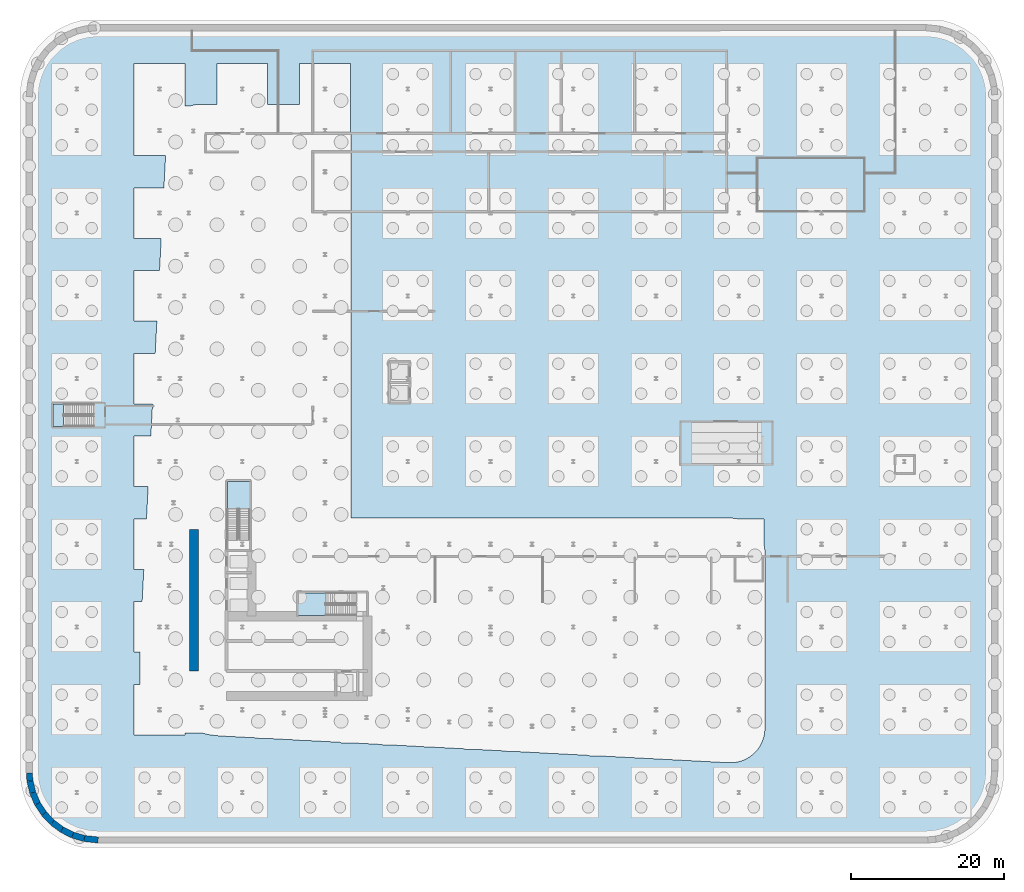
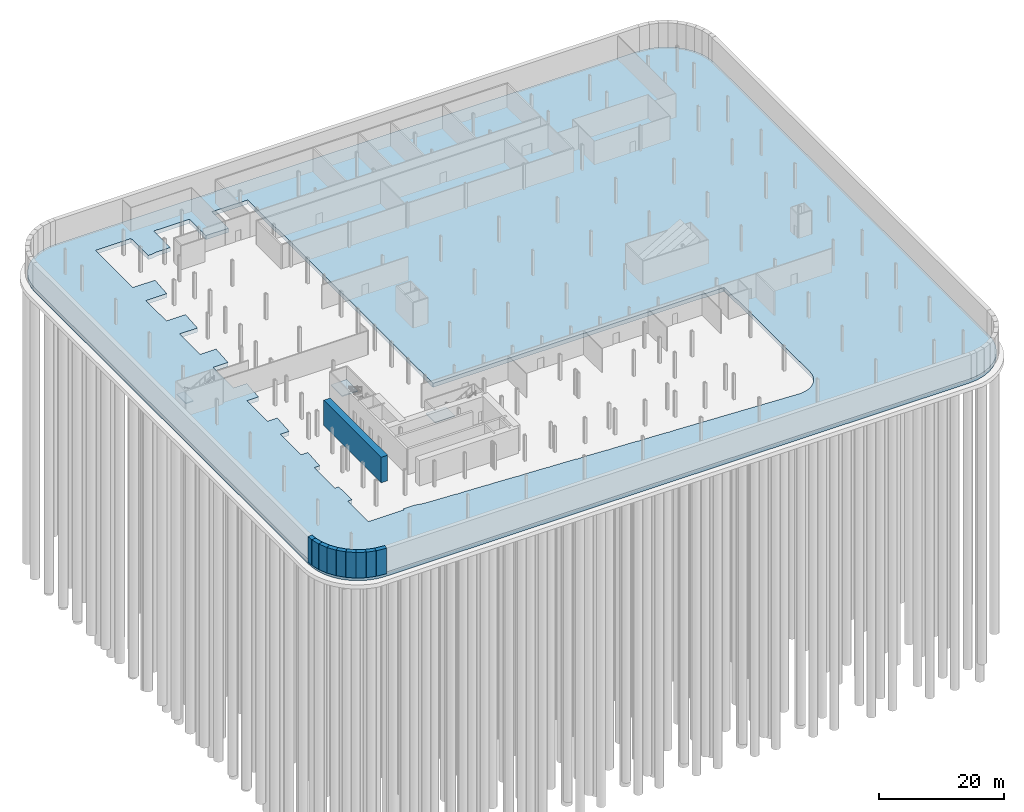
# One storey, part 8 of 23: 10 walls, 4 slabs, 3 elements without a shape of their own.
"""IFC4 building model written with IfcOpenShell, lengths in metres."""

from ifc_helpers import new_model, si_unit, direction, frame, frame_2d, origin, place, context, subcontext, project, spatial, polyline, rectangle, outline, extrude, material, layer, layer_set, type_object, element, aggregate, save


model = new_model("IFC4")

# Units and contexts
model_context = context("Model", 3, precision=1e-05, world=origin(), true_north=direction((0.0, 1.0)))
body_context = subcontext(model_context, "Body", "Model", "MODEL_VIEW")
ifc_project = project(units=[si_unit("LENGTHUNIT", "METRE"), si_unit("AREAUNIT", "SQUARE_METRE"), si_unit("VOLUMEUNIT", "CUBIC_METRE"), si_unit("PLANEANGLEUNIT", "RADIAN"), si_unit("MASSUNIT", "GRAM", prefix="KILO")], contexts=[model_context])

# Site, building, storey
site_placement = place(None, origin())
site = spatial("IfcSite", under=ifc_project, at=site_placement, CompositionType="ELEMENT")
building_placement = place(site_placement, origin())
building = spatial("IfcBuilding", under=site, at=building_placement, Name="Kheshtan School and Residences Tower", CompositionType="ELEMENT")
storey_placement = place(building_placement, frame((0.0, 0.0, -15.0)))
storey = spatial("IfcBuildingStorey", under=building, at=storey_placement, Name="B3", CompositionType="ELEMENT", Elevation=-15.0)

# Slab
ifc_material_1 = material(Name="Concrete C40/50", Category="concrete")
ifc_layer_1 = layer(ifc_material_1, 0.800048828125)
ifc_layer_set_1 = layer_set([ifc_layer_1], Name="Base slab 800 Concrete C40/50")
slab_type_1 = type_object("IfcSlabType", Name="Base slab 800 Concrete C40/50", PredefinedType="BASESLAB", material=ifc_layer_set_1)
slab_1_placement = place(storey_placement, frame((0.0, 0.0, -0.800048828125)))
element("IfcSlab", 1, at=slab_1_placement, inside=storey, type_object=slab_type_1, Name="Base slab", PredefinedType="BASESLAB", context=body_context, shape_type="SweptSolid", body=[
    extrude(outline(polyline([(9.010986328125, 104.260986328125), (9.10205078125, 105.302978515625), (9.193115234375, 105.819091796875), (9.464111328125, 106.8291015625), (9.64306640625, 107.320068359375), (10.0849609375, 108.26806640625), (10.345947265625, 108.720947265625), (10.946044921875, 109.577880859375), (11.282958984375, 109.97802734375), (12.02197265625, 110.717041015625), (12.422119140625, 111.053955078125), (13.279052734375, 111.654052734375), (13.73193359375, 111.9150390625), (14.679931640625, 112.35693359375), (15.1708984375, 112.535888671875), (16.180908203125, 112.806884765625), (16.697021484375, 112.89794921875), (17.739013671875, 112.989013671875), (18.0, 113.0), (126.0, 113.0), (126.260986328125, 112.989013671875), (127.302978515625, 112.89794921875), (127.819091796875, 112.806884765625), (128.8291015625, 112.535888671875), (129.320068359375, 112.35693359375), (130.26806640625, 111.9150390625), (130.720947265625, 111.654052734375), (131.577880859375, 111.053955078125), (131.97802734375, 110.717041015625), (132.717041015625, 109.97802734375), (133.053955078125, 109.577880859375), (133.654052734375, 108.720947265625), (133.9150390625, 108.26806640625), (134.35693359375, 107.320068359375), (134.535888671875, 106.8291015625), (134.806884765625, 105.819091796875), (134.89794921875, 105.302978515625), (134.989013671875, 104.260986328125), (135.0, 104.0), (135.0, 16.0), (134.989013671875, 15.739013671875), (134.89794921875, 14.697021484375), (134.806884765625, 14.180908203125), (134.535888671875, 13.1708984375), (134.35693359375, 12.679931640625), (133.9150390625, 11.73193359375), (133.654052734375, 11.279052734375), (133.053955078125, 10.422119140625), (132.717041015625, 10.02197265625), (131.97802734375, 9.282958984375), (131.577880859375, 8.946044921875), (130.720947265625, 8.345947265625), (130.26806640625, 8.0849609375), (129.320068359375, 7.64306640625), (128.8291015625, 7.464111328125), (127.819091796875, 7.193115234375), (127.302978515625, 7.10205078125), (126.260986328125, 7.010986328125), (126.0, 7.0), (18.0, 7.0), (17.739013671875, 7.010986328125), (16.697021484375, 7.10205078125), (16.180908203125, 7.193115234375), (15.1708984375, 7.464111328125), (14.679931640625, 7.64306640625), (13.73193359375, 8.0849609375), (13.279052734375, 8.345947265625), (12.422119140625, 8.946044921875), (12.02197265625, 9.282958984375), (11.282958984375, 10.02197265625), (10.946044921875, 10.422119140625), (10.345947265625, 11.279052734375), (10.0849609375, 11.73193359375), (9.64306640625, 12.679931640625), (9.464111328125, 13.1708984375), (9.193115234375, 14.180908203125), (9.10205078125, 14.697021484375), (9.010986328125, 15.739013671875), (9.0, 16.0), (9.0, 104.0), (9.010986328125, 104.260986328125)]), holes=[polyline([(101.431884765625, 48.89990234375), (101.087890625, 48.968017578125), (100.59912109375, 49.0), (51.0, 49.0), (51.0, 98.59912109375), (50.968017578125, 99.087890625), (50.89990234375, 99.431884765625), (50.89990234375, 101.699951171875), (50.89990234375, 102.89990234375), (50.89990234375, 108.300048828125), (44.300048828125, 108.300048828125), (44.300048828125, 103.0), (40.10009765625, 103.0), (40.10009765625, 108.300048828125), (33.5, 108.300048828125), (33.5, 103.0), (31.321044921875, 103.0), (30.802001953125, 102.965087890625), (30.18994140625, 102.8349609375), (30.12109375, 102.81005859375), (29.300048828125, 102.81005859375), (29.300048828125, 102.89990234375), (29.300048828125, 108.300048828125), (22.699951171875, 108.300048828125), (22.699951171875, 102.89990234375), (22.699951171875, 101.699951171875), (22.699951171875, 96.300048828125), (26.7900390625, 96.300048828125), (26.7900390625, 96.0849609375), (26.580078125, 92.10009765625), (22.699951171875, 92.10009765625), (22.699951171875, 85.5), (26.22998046875, 85.5), (26.22998046875, 85.447021484375), (26.011962890625, 81.300048828125), (22.699951171875, 81.300048828125), (22.699951171875, 74.699951171875), (25.659912109375, 74.699951171875), (25.659912109375, 74.618896484375), (25.443115234375, 70.5), (22.699951171875, 70.5), (22.699951171875, 63.89990234375), (25.090087890625, 63.89990234375), (25.090087890625, 63.791015625), (24.875, 59.699951171875), (22.699951171875, 59.699951171875), (22.699951171875, 53.10009765625), (24.52001953125, 53.10009765625), (24.52001953125, 52.962890625), (24.305908203125, 48.89990234375), (22.699951171875, 48.89990234375), (22.699951171875, 42.300048828125), (23.949951171875, 42.300048828125), (23.949951171875, 42.135009765625), (23.738037109375, 38.10009765625), (22.699951171875, 38.10009765625), (22.699951171875, 31.5), (23.426025390625, 31.5), (23.43701171875, 30.70703125), (23.4599609375, 30.548095703125), (23.4599609375, 27.300048828125), (22.699951171875, 27.300048828125), (22.699951171875, 20.699951171875), (29.300048828125, 20.699951171875), (29.300048828125, 20.969970703125), (31.52490234375, 20.969970703125), (32.40087890625, 20.7470703125), (33.73388671875, 20.589111328125), (38.89990234375, 20.31689453125), (38.89990234375, 20.25), (40.175048828125, 20.25), (44.300048828125, 20.032958984375), (44.300048828125, 19.9599609375), (45.68408203125, 19.9599609375), (49.699951171875, 19.7490234375), (49.699951171875, 19.679931640625), (51.00390625, 19.679931640625), (55.10009765625, 19.464111328125), (55.10009765625, 19.39990234375), (56.323974609375, 19.39990234375), (60.5, 19.179931640625), (60.5, 19.110107421875), (61.833984375, 19.110107421875), (65.89990234375, 18.89599609375), (65.89990234375, 18.830078125), (67.153076171875, 18.830078125), (71.300048828125, 18.612060546875), (71.300048828125, 18.5400390625), (72.6630859375, 18.5400390625), (76.699951171875, 18.327880859375), (76.699951171875, 18.260009765625), (77.98291015625, 18.260009765625), (82.10009765625, 18.04296875), (82.10009765625, 17.969970703125), (83.492919921875, 17.969970703125), (100.364013671875, 17.08203125), (100.876953125, 17.089111328125), (101.47705078125, 17.181884765625), (102.052001953125, 17.35009765625), (102.616943359375, 17.60107421875), (103.136962890625, 17.927001953125), (103.596923828125, 18.30810546875), (104.010986328125, 18.7548828125), (104.364990234375, 19.261962890625), (104.64306640625, 19.80810546875), (104.843017578125, 20.376953125), (104.965087890625, 20.970947265625), (105.0, 21.47705078125), (105.0, 44.59912109375), (104.968017578125, 45.087890625), (104.89990234375, 45.431884765625), (104.89990234375, 48.89990234375), (101.431884765625, 48.89990234375)])]), origin(), (0.0, 0.0, 1.0), 0.800048828125),
])

# Stair, slab
stair_type = type_object("IfcStairType", Name="Exit stair, half-turn", PredefinedType="HALF_TURN_STAIR", material=ifc_material_1)
stair_1_placement = place(storey_placement, origin())
stair_1 = element("IfcStair", 2, at=stair_1_placement, inside=storey, type_object=stair_type, Name="B3 Protected Exit Stair ST1", PredefinedType="HALF_TURN_STAIR")
ifc_layer_2 = layer(ifc_material_1, 0.199951171875)
ifc_layer_set_2 = layer_set([ifc_layer_2], Name="Stair landing 200 Concrete C40/50")
slab_type_2 = type_object("IfcSlabType", Name="Stair landing 200 Concrete C40/50", PredefinedType="LANDING", material=ifc_layer_set_2)
slab_2_placement = place(storey_placement, frame((0.0, 0.0, 2.300048828125)))
slab_2 = element("IfcSlab", 3, at=slab_2_placement, type_object=slab_type_2, Name="ST1 landing 1", PredefinedType="LANDING", context=body_context, shape_type="SweptSolid", body=[
    extrude(outline(polyline([(47.72998046875, 39.25), (44.090087890625, 39.25), (44.090087890625, 36.300048828125), (47.72998046875, 36.300048828125), (47.72998046875, 39.25)])), origin(), (0.0, 0.0, 1.0), 0.199951171875),
])
aggregate(stair_1, [slab_2])

stair_2_placement = place(storey_placement, origin())
stair_2 = element("IfcStair", 4, at=stair_2_placement, inside=storey, type_object=stair_type, Name="B3 Protected Exit Stair ST2", PredefinedType="HALF_TURN_STAIR")
slab_3_placement = place(storey_placement, frame((0.0, 0.0, 2.300048828125)))
slab_3 = element("IfcSlab", 5, at=slab_3_placement, type_object=slab_type_2, Name="ST2 landing 1", PredefinedType="LANDING", context=body_context, shape_type="SweptSolid", body=[
    extrude(outline(polyline([(37.800048828125, 50.169921875), (37.800048828125, 53.81005859375), (34.85009765625, 53.81005859375), (34.85009765625, 50.169921875), (37.800048828125, 50.169921875)])), origin(), (0.0, 0.0, 1.0), 0.199951171875),
])
aggregate(stair_2, [slab_3])

stair_3_placement = place(storey_placement, origin())
stair_3 = element("IfcStair", 6, at=stair_3_placement, inside=storey, type_object=stair_type, Name="B3 Station Stair west", PredefinedType="HALF_TURN_STAIR")
slab_4_placement = place(storey_placement, frame((0.0, 0.0, 2.300048828125)))
slab_4 = element("IfcSlab", 7, at=slab_4_placement, type_object=slab_type_2, Name="SS-west landing 1", PredefinedType="LANDING", context=body_context, shape_type="SweptSolid", body=[
    extrude(outline(polyline([(13.5, 63.89990234375), (12.10009765625, 63.89990234375), (12.10009765625, 60.949951171875), (13.5, 60.949951171875), (13.5, 63.89990234375)])), origin(), (0.0, 0.0, 1.0), 0.199951171875),
])
aggregate(stair_3, [slab_4])

# Walls
ifc_material_2 = material(Name="Concrete C35/45", Category="concrete")
ifc_layer_3 = layer(ifc_material_2, 0.800048828125)
ifc_layer_set_3 = layer_set([ifc_layer_3], Name="Basement wall 800 Concrete C35/45")
wall_type_1 = type_object("IfcWallType", Name="Basement wall 800 Concrete C35/45", PredefinedType="SOLIDWALL", material=ifc_layer_set_3)
wall_1_placement = place(storey_placement, frame((18.0, 7.0, 0.0), z_axis=(0.0, 0.0, 1.0), x_axis=(-0.994412187849, 0.105567043429, 0.0)))
element("IfcWall", 8, at=wall_1_placement, inside=storey, type_object=wall_type_1, Name="Secant pile wall 31", PredefinedType="SOLIDWALL", context=body_context, shape_type="SweptSolid", body=[
    extrude(rectangle(XDim=1.829345703125, YDim=0.800048828125, at=frame_2d((0.91455078125, 0.0))), origin(), (0.0, 0.0, 1.0), 5.0),
])
wall_2_placement = place(storey_placement, frame((16.180908203125, 7.193115234375, 0.0), z_axis=(0.0, 0.0, 1.0), x_axis=(-0.957886299092, 0.287147763375, 0.0)))
element("IfcWall", 9, at=wall_2_placement, inside=storey, type_object=wall_type_1, Name="Secant pile wall 32", PredefinedType="SOLIDWALL", context=body_context, shape_type="SweptSolid", body=[
    extrude(rectangle(XDim=1.56689453125, YDim=0.800048828125, at=frame_2d((0.783447265625, 0.0))), origin(), (0.0, 0.0, 1.0), 5.0),
])
wall_3_placement = place(storey_placement, frame((14.679931640625, 7.64306640625, 0.0), z_axis=(0.0, 0.0, 1.0), x_axis=(-0.893803246399, 0.448459314462, 0.0)))
element("IfcWall", 10, at=wall_3_placement, inside=storey, type_object=wall_type_1, Name="Secant pile wall 33", PredefinedType="SOLIDWALL", context=body_context, shape_type="SweptSolid", body=[
    extrude(rectangle(XDim=1.5673828125, YDim=0.800048828125, at=frame_2d((0.78369140625, 0.0))), origin(), (0.0, 0.0, 1.0), 5.0),
])
wall_4_placement = place(storey_placement, frame((13.279052734375, 8.345947265625, 0.0), z_axis=(0.0, 0.0, 1.0), x_axis=(-0.801771638905, 0.597630520512, 0.0)))
element("IfcWall", 11, at=wall_4_placement, inside=storey, type_object=wall_type_1, Name="Secant pile wall 34", PredefinedType="SOLIDWALL", context=body_context, shape_type="SweptSolid", body=[
    extrude(rectangle(XDim=1.56787109375, YDim=0.800048828125, at=frame_2d((0.783935546875, 0.0))), origin(), (0.0, 0.0, 1.0), 5.0),
])
wall_5_placement = place(storey_placement, frame((12.02197265625, 9.282958984375, 0.0), z_axis=(0.0, 0.0, 1.0), x_axis=(-0.686641833089, 0.726995868662, 0.0)))
element("IfcWall", 12, at=wall_5_placement, inside=storey, type_object=wall_type_1, Name="Secant pile wall 35", PredefinedType="SOLIDWALL", context=body_context, shape_type="SweptSolid", body=[
    extrude(rectangle(XDim=1.56689453125, YDim=0.800048828125, at=frame_2d((0.783447265625, 0.0))), origin(), (0.0, 0.0, 1.0), 5.0),
])
wall_6_placement = place(storey_placement, frame((10.946044921875, 10.422119140625, 0.0), z_axis=(0.0, 0.0, 1.0), x_axis=(-0.549333272834, 0.835603348101, 0.0)))
element("IfcWall", 13, at=wall_6_placement, inside=storey, type_object=wall_type_1, Name="Secant pile wall 36", PredefinedType="SOLIDWALL", context=body_context, shape_type="SweptSolid", body=[
    extrude(rectangle(XDim=1.567626953125, YDim=0.800048828125, at=frame_2d((0.78369140625, 0.0))), origin(), (0.0, 0.0, 1.0), 5.0),
])
wall_7_placement = place(storey_placement, frame((10.0849609375, 11.73193359375, 0.0), z_axis=(0.0, 0.0, 1.0), x_axis=(-0.396155493925, 0.918183437355, 0.0)))
element("IfcWall", 14, at=wall_7_placement, inside=storey, type_object=wall_type_1, Name="Secant pile wall 37", PredefinedType="SOLIDWALL", context=body_context, shape_type="SweptSolid", body=[
    extrude(rectangle(XDim=1.567138671875, YDim=0.800048828125, at=frame_2d((0.78369140625, 0.0))), origin(), (0.0, 0.0, 1.0), 5.0),
])
wall_8_placement = place(storey_placement, frame((9.464111328125, 13.1708984375, 0.0), z_axis=(0.0, 0.0, 1.0), x_axis=(-0.230834833469, 0.972992949439, 0.0)))
element("IfcWall", 15, at=wall_8_placement, inside=storey, type_object=wall_type_1, Name="Secant pile wall 38", PredefinedType="SOLIDWALL", context=body_context, shape_type="SweptSolid", body=[
    extrude(rectangle(XDim=1.568603515625, YDim=0.800048828125, at=frame_2d((0.7841796875, 0.0))), origin(), (0.0, 0.0, 1.0), 5.0),
])
wall_9_placement = place(storey_placement, frame((9.10205078125, 14.697021484375, 0.0), z_axis=(0.0, 0.0, 1.0), x_axis=(-0.087062712427, 0.996202832813, 0.0)))
element("IfcWall", 16, at=wall_9_placement, inside=storey, type_object=wall_type_1, Name="Secant pile wall 39", PredefinedType="SOLIDWALL", context=body_context, shape_type="SweptSolid", body=[
    extrude(rectangle(XDim=1.0458984375, YDim=0.800048828125, at=frame_2d((0.52294921875, 0.0))), origin(), (0.0, 0.0, 1.0), 5.0),
])
ifc_material_3 = material(Name="Concrete C80/95", Category="concrete")
ifc_layer_4 = layer(ifc_material_3, 1.199951171875)
ifc_layer_set_4 = layer_set([ifc_layer_4], Name="Core wall 1200 Concrete C80/95")
wall_type_2 = type_object("IfcWallType", Name="Core wall 1200 Concrete C80/95", PredefinedType="SHEAR", material=ifc_layer_set_4)
wall_10_placement = place(storey_placement, frame((30.5, 29.050048828125, 0.0), z_axis=(0.0, 0.0, 1.0), x_axis=(0.0, 1.0, 0.0)))
element("IfcWall", 17, at=wall_10_placement, inside=storey, type_object=wall_type_2, Name="Core wall CW-REAR-W", PredefinedType="SHEAR", context=body_context, shape_type="SweptSolid", body=[
    extrude(rectangle(XDim=18.449951171875, YDim=1.199951171875, at=frame_2d((9.22509765625, 0.0))), origin(), (0.0, 0.0, 1.0), 5.0),
])

save(model, "model.ifc")
